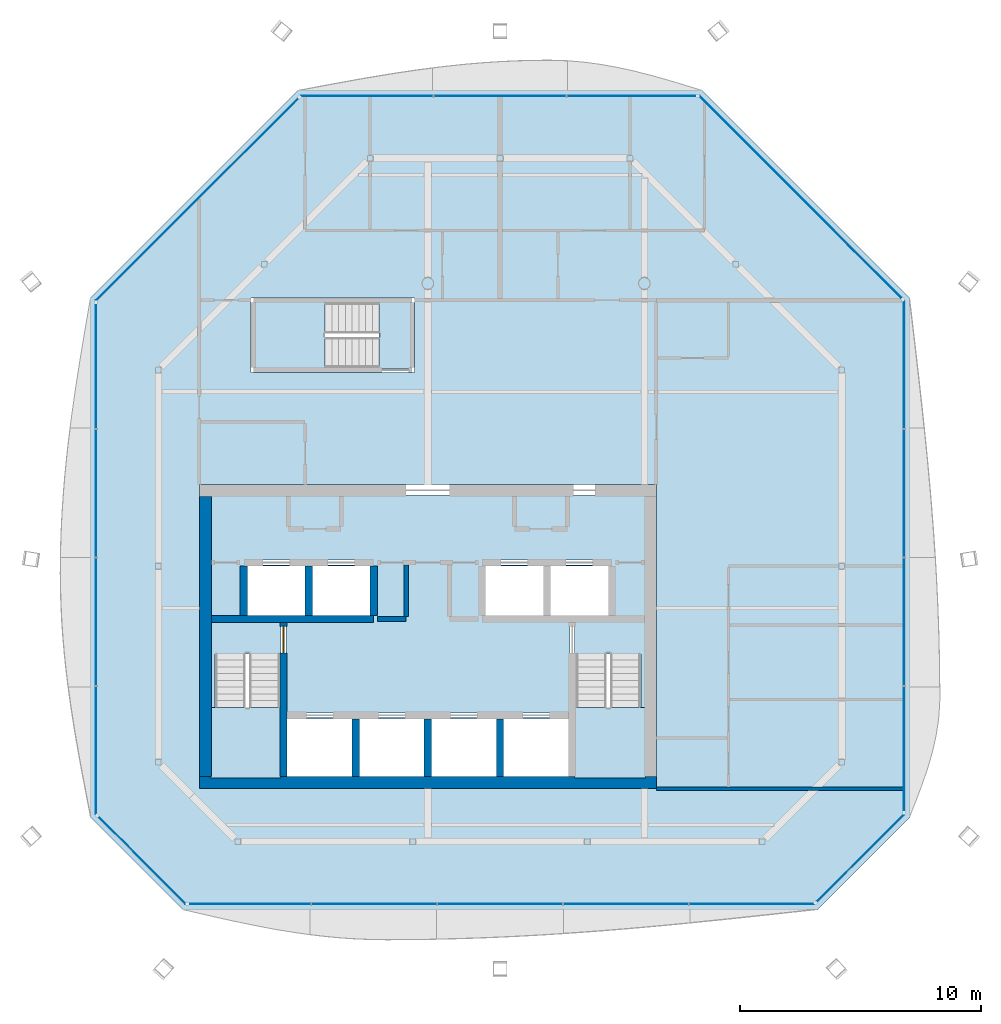
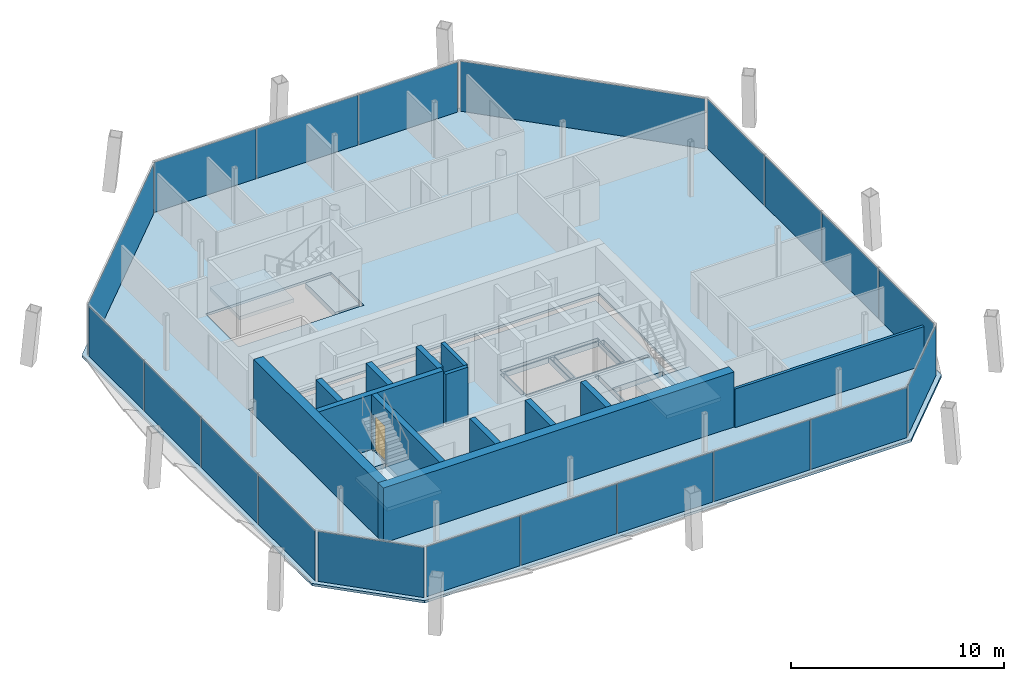
# One storey, part 9 of 16: 20 plates, 13 walls, 6 slabs, 1 door, 1 opening, 11 elements without a shape of their own.
"""IFC4 building model written with IfcOpenShell, lengths in metres."""

from ifc_helpers import new_model, si_unit, direction, frame, frame_2d, origin, origin_2d, place, context, subcontext, project, spatial, polyline, rectangle, outline, extrude, material, layer, layer_set, type_object, element, fill, aggregate, save


model = new_model("IFC4")

# Units and contexts
model_context = context("Model", 3, precision=1e-05, world=origin(), true_north=direction((0.0, 1.0)))
body_context = subcontext(model_context, "Body", "Model", "MODEL_VIEW")
ifc_project = project(units=[si_unit("LENGTHUNIT", "METRE"), si_unit("AREAUNIT", "SQUARE_METRE"), si_unit("VOLUMEUNIT", "CUBIC_METRE"), si_unit("PLANEANGLEUNIT", "RADIAN"), si_unit("MASSUNIT", "GRAM", prefix="KILO")], contexts=[model_context])

# Site, building, storey
site_placement = place(None, origin())
site = spatial("IfcSite", under=ifc_project, at=site_placement, CompositionType="ELEMENT")
building_placement = place(site_placement, origin())
building = spatial("IfcBuilding", under=site, at=building_placement, Name="Tskaro Facet Tower", CompositionType="ELEMENT")
storey_placement = place(building_placement, frame((0.0, 0.0, 265.800048828125)))
storey = spatial("IfcBuildingStorey", under=building, at=storey_placement, Name="L70", CompositionType="ELEMENT", Elevation=265.800048828125)

# Slab
ifc_material_1 = material(Name="Concrete C30/37", Category="concrete")
ifc_layer_1 = layer(ifc_material_1, 0.139892578125, Name="Concrete C30/37")
ifc_layer_set_1 = layer_set([ifc_layer_1], Name="Concrete C30/37")
slab_type_1 = type_object("IfcSlabType", Name="Composite deck floor slab", PredefinedType="FLOOR", material=ifc_layer_set_1)
slab_1_placement = place(storey_placement, frame((0.0, 0.0, -0.14013671875)))
element("IfcSlab", 1, at=slab_1_placement, inside=storey, type_object=slab_type_1, Name="Floor slab FS3 L70", PredefinedType="FLOOR", context=body_context, shape_type="SweptSolid", body=[
    extrude(outline(polyline([(-10.174072265625, -17.04296875), (16.174072265625, -17.04296875), (20.04296875, -13.174072265625), (20.04296875, 8.39111328125), (11.39111328125, 17.04296875), (-5.39111328125, 17.04296875), (-14.04296875, 8.39111328125), (-14.04296875, -13.174072265625), (-10.174072265625, -17.04296875)]), holes=[polyline([(-9.5, -12.0), (9.5, -12.0), (9.5, 0.64990234375), (-9.5, 0.64990234375), (-9.5, -12.0)]), polyline([(-7.35009765625, 5.300048828125), (-0.550048828125, 5.300048828125), (-0.550048828125, 8.39990234375), (-7.35009765625, 8.39990234375), (-7.35009765625, 5.300048828125)])]), origin(), (0.0, 0.0, 1.0), 0.14013671875),
])

# Curtain wall, plates
ifc_material_2 = material(Name="Bronze anodised aluminium 6063-T6", Category="aluminium")
curtain_wall_type = type_object("IfcCurtainWallType", Name="Bronze residence curtain wall (FW3)", PredefinedType="NOTDEFINED", material=ifc_material_2)
curtain_wall_1_placement = place(storey_placement, origin())
curtain_wall_1 = element("IfcCurtainWall", 2, at=curtain_wall_1_placement, inside=storey, type_object=curtain_wall_type, Name="FW3 south facet L70", PredefinedType="NOTDEFINED")
ifc_material_3 = material(Name="Bronze low-iron glass", Category="glass")
ifc_layer_2 = layer(ifc_material_3, 0.028076171875, Name="Bronze low-iron glass")
ifc_layer_set_2 = layer_set([ifc_layer_2], Name="Bronze low-iron glass")
plate_type = type_object("IfcPlateType", Name="FW3 bronze-tinted unit glazing 28", PredefinedType="CURTAIN_PANEL", material=ifc_layer_set_2)
plate_1_placement = place(storey_placement, frame((-7.3984375, -16.79296875, 0.0), z_axis=(0.0, 0.0, 1.0), x_axis=(1.0, 0.0, 0.0)))
plate_1 = element("IfcPlate", 3, at=plate_1_placement, type_object=plate_type, Name="FW3 south glazing 1.1", PredefinedType="CURTAIN_PANEL", context=body_context, shape_type="SweptSolid", body=[
    extrude(rectangle(XDim=5.06298828125, YDim=0.028076171875, at=origin_2d()), origin(), (0.0, 0.0, 1.0), 2.860107421875),
])
plate_2_placement = place(storey_placement, frame((-2.22802734375, -16.79296875, 0.0), z_axis=(0.0, 0.0, 1.0), x_axis=(1.0, 0.0, 0.0)))
plate_2 = element("IfcPlate", 4, at=plate_2_placement, type_object=plate_type, Name="FW3 south glazing 2.1", PredefinedType="CURTAIN_PANEL", context=body_context, shape_type="SweptSolid", body=[
    extrude(rectangle(XDim=5.177978515625, YDim=0.028076171875, at=origin_2d()), origin(), (0.0, 0.0, 1.0), 2.860107421875),
])
plate_3_placement = place(storey_placement, frame((3.0, -16.79296875, 0.0), z_axis=(0.0, 0.0, 1.0), x_axis=(1.0, 0.0, 0.0)))
plate_3 = element("IfcPlate", 5, at=plate_3_placement, type_object=plate_type, Name="FW3 south glazing 3.1", PredefinedType="CURTAIN_PANEL", context=body_context, shape_type="SweptSolid", body=[
    extrude(rectangle(XDim=5.177978515625, YDim=0.028076171875, at=origin_2d()), origin(), (0.0, 0.0, 1.0), 2.860107421875),
])
plate_4_placement = place(storey_placement, frame((8.22802734375, -16.79296875, 0.0), z_axis=(0.0, 0.0, 1.0), x_axis=(1.0, 0.0, 0.0)))
plate_4 = element("IfcPlate", 6, at=plate_4_placement, type_object=plate_type, Name="FW3 south glazing 4.1", PredefinedType="CURTAIN_PANEL", context=body_context, shape_type="SweptSolid", body=[
    extrude(rectangle(XDim=5.177978515625, YDim=0.028076171875, at=origin_2d()), origin(), (0.0, 0.0, 1.0), 2.860107421875),
])
plate_5_placement = place(storey_placement, frame((13.468505859375, -16.79296875, 0.0), z_axis=(0.0, 0.0, 1.0), x_axis=(1.0, 0.0, 0.0)))
plate_5 = element("IfcPlate", 7, at=plate_5_placement, type_object=plate_type, Name="FW3 south glazing 5.1", PredefinedType="CURTAIN_PANEL", context=body_context, shape_type="SweptSolid", body=[
    extrude(rectangle(XDim=5.202880859375, YDim=0.028076171875, at=origin_2d()), origin(), (0.0, 0.0, 1.0), 2.860107421875),
])
aggregate(curtain_wall_1, [plate_1, plate_2, plate_3, plate_4, plate_5])

# Curtain wall, plate
curtain_wall_2_placement = place(storey_placement, origin())
curtain_wall_2 = element("IfcCurtainWall", 8, at=curtain_wall_2_placement, inside=storey, type_object=curtain_wall_type, Name="FW3 south-east facet L70", PredefinedType="NOTDEFINED")
plate_6_placement = place(storey_placement, frame((17.98095703125, -14.882080078125, 0.0), z_axis=(0.0, 0.0, 1.0), x_axis=(0.707106781187, 0.707106781187, 0.0)))
plate_6 = element("IfcPlate", 9, at=plate_6_placement, type_object=plate_type, Name="FW3 south-east glazing 1.1", PredefinedType="CURTAIN_PANEL", context=body_context, shape_type="SweptSolid", body=[
    extrude(rectangle(XDim=5.125, YDim=0.028076171875, at=origin_2d()), origin(), (0.0, 0.0, 1.0), 2.860107421875),
])
aggregate(curtain_wall_2, [plate_6])

# Curtain wall, plates
curtain_wall_3_placement = place(storey_placement, origin())
curtain_wall_3 = element("IfcCurtainWall", 10, at=curtain_wall_3_placement, inside=storey, type_object=curtain_wall_type, Name="FW3 east facet L70", PredefinedType="NOTDEFINED")
plate_7_placement = place(storey_placement, frame((19.79296875, -10.3427734375, 0.0), z_axis=(0.0, 0.0, 1.0), x_axis=(0.0, 1.0, 0.0)))
plate_7 = element("IfcPlate", 11, at=plate_7_placement, type_object=plate_type, Name="FW3 east glazing 1.1", PredefinedType="CURTAIN_PANEL", context=body_context, shape_type="SweptSolid", body=[
    extrude(rectangle(XDim=5.17431640625, YDim=0.028076171875, at=origin_2d()), origin(), (0.0, 0.0, 1.0), 2.860107421875),
])
plate_8_placement = place(storey_placement, frame((19.79296875, -5.06103515625, 0.0), z_axis=(0.0, 0.0, 1.0), x_axis=(0.0, 1.0, 0.0)))
plate_8 = element("IfcPlate", 12, at=plate_8_placement, type_object=plate_type, Name="FW3 east glazing 2.1", PredefinedType="CURTAIN_PANEL", context=body_context, shape_type="SweptSolid", body=[
    extrude(rectangle(XDim=5.289306640625, YDim=0.028076171875, at=origin_2d()), origin(), (0.0, 0.0, 1.0), 2.860107421875),
])
plate_9_placement = place(storey_placement, frame((19.79296875, 0.278076171875, 0.0), z_axis=(0.0, 0.0, 1.0), x_axis=(0.0, 1.0, 0.0)))
plate_9 = element("IfcPlate", 13, at=plate_9_placement, type_object=plate_type, Name="FW3 east glazing 3.1", PredefinedType="CURTAIN_PANEL", context=body_context, shape_type="SweptSolid", body=[
    extrude(rectangle(XDim=5.289306640625, YDim=0.028076171875, at=origin_2d()), origin(), (0.0, 0.0, 1.0), 2.860107421875),
])
plate_10_placement = place(storey_placement, frame((19.79296875, 5.6298828125, 0.0), z_axis=(0.0, 0.0, 1.0), x_axis=(0.0, 1.0, 0.0)))
plate_10 = element("IfcPlate", 14, at=plate_10_placement, type_object=plate_type, Name="FW3 east glazing 4.1", PredefinedType="CURTAIN_PANEL", context=body_context, shape_type="SweptSolid", body=[
    extrude(rectangle(XDim=5.314208984375, YDim=0.028076171875, at=origin_2d()), origin(), (0.0, 0.0, 1.0), 2.860107421875),
])
aggregate(curtain_wall_3, [plate_7, plate_8, plate_9, plate_10])

# Curtain wall, plate
curtain_wall_4_placement = place(storey_placement, origin())
curtain_wall_4 = element("IfcCurtainWall", 15, at=curtain_wall_4_placement, inside=storey, type_object=curtain_wall_type, Name="FW3 north-east facet L70", PredefinedType="NOTDEFINED")
plate_11_placement = place(storey_placement, frame((15.490478515625, 12.589599609375, 0.0), z_axis=(0.0, 0.0, 1.0), x_axis=(-0.707106781187, 0.707106781187, 0.0)))
plate_11 = element("IfcPlate", 16, at=plate_11_placement, type_object=plate_type, Name="FW3 north-east glazing 1.1", PredefinedType="CURTAIN_PANEL", context=body_context, shape_type="SweptSolid", body=[
    extrude(rectangle(XDim=11.889404296875, YDim=0.028076171875, at=origin_2d()), origin(), (0.0, 0.0, 1.0), 2.860107421875),
])
aggregate(curtain_wall_4, [plate_11])

# Curtain wall, plates
curtain_wall_5_placement = place(storey_placement, origin())
curtain_wall_5 = element("IfcCurtainWall", 17, at=curtain_wall_5_placement, inside=storey, type_object=curtain_wall_type, Name="FW3 north facet L70", PredefinedType="NOTDEFINED")
plate_12_placement = place(storey_placement, frame((8.46728515625, 16.79296875, 0.0), z_axis=(0.0, 0.0, 1.0), x_axis=(-1.0, 0.0, 0.0)))
plate_12 = element("IfcPlate", 18, at=plate_12_placement, type_object=plate_type, Name="FW3 north glazing 1.1", PredefinedType="CURTAIN_PANEL", context=body_context, shape_type="SweptSolid", body=[
    extrude(rectangle(XDim=5.359619140625, YDim=0.028076171875, at=origin_2d()), origin(), (0.0, 0.0, 1.0), 2.860107421875),
])
plate_13_placement = place(storey_placement, frame((3.0, 16.79296875, 0.0), z_axis=(0.0, 0.0, 1.0), x_axis=(-1.0, 0.0, 0.0)))
plate_13 = element("IfcPlate", 19, at=plate_13_placement, type_object=plate_type, Name="FW3 north glazing 2.1", PredefinedType="CURTAIN_PANEL", context=body_context, shape_type="SweptSolid", body=[
    extrude(rectangle(XDim=5.474609375, YDim=0.028076171875, at=origin_2d()), origin(), (0.0, 0.0, 1.0), 2.860107421875),
])
plate_14_placement = place(storey_placement, frame((-2.537109375, 16.79296875, 0.0), z_axis=(0.0, 0.0, 1.0), x_axis=(-1.0, 0.0, 0.0)))
plate_14 = element("IfcPlate", 20, at=plate_14_placement, type_object=plate_type, Name="FW3 north glazing 3.1", PredefinedType="CURTAIN_PANEL", context=body_context, shape_type="SweptSolid", body=[
    extrude(rectangle(XDim=5.499755859375, YDim=0.028076171875, at=origin_2d()), origin(), (0.0, 0.0, 1.0), 2.860107421875),
])
aggregate(curtain_wall_5, [plate_12, plate_13, plate_14])

# Curtain wall, plate
curtain_wall_6_placement = place(storey_placement, origin())
curtain_wall_6 = element("IfcCurtainWall", 21, at=curtain_wall_6_placement, inside=storey, type_object=curtain_wall_type, Name="FW3 north-west facet L70", PredefinedType="NOTDEFINED")
plate_15_placement = place(storey_placement, frame((-9.589599609375, 12.490478515625, 0.0), z_axis=(0.0, 0.0, 1.0), x_axis=(-0.707106781187, -0.707106781187, 0.0)))
plate_15 = element("IfcPlate", 22, at=plate_15_placement, type_object=plate_type, Name="FW3 north-west glazing 1.1", PredefinedType="CURTAIN_PANEL", context=body_context, shape_type="SweptSolid", body=[
    extrude(rectangle(XDim=11.889404296875, YDim=0.028076171875, at=origin_2d()), origin(), (0.0, 0.0, 1.0), 2.860107421875),
])
aggregate(curtain_wall_6, [plate_15])

# Curtain wall, plates
curtain_wall_7_placement = place(storey_placement, origin())
curtain_wall_7 = element("IfcCurtainWall", 23, at=curtain_wall_7_placement, inside=storey, type_object=curtain_wall_type, Name="FW3 west facet L70", PredefinedType="NOTDEFINED")
plate_16_placement = place(storey_placement, frame((-13.79296875, 5.559814453125, 0.0), z_axis=(0.0, 0.0, 1.0), x_axis=(0.0, -1.0, 0.0)))
plate_16 = element("IfcPlate", 24, at=plate_16_placement, type_object=plate_type, Name="FW3 west glazing 1.1", PredefinedType="CURTAIN_PANEL", context=body_context, shape_type="SweptSolid", body=[
    extrude(rectangle(XDim=5.17431640625, YDim=0.028076171875, at=origin_2d()), origin(), (0.0, 0.0, 1.0), 2.860107421875),
])
plate_17_placement = place(storey_placement, frame((-13.79296875, 0.278076171875, 0.0), z_axis=(0.0, 0.0, 1.0), x_axis=(0.0, -1.0, 0.0)))
plate_17 = element("IfcPlate", 25, at=plate_17_placement, type_object=plate_type, Name="FW3 west glazing 2.1", PredefinedType="CURTAIN_PANEL", context=body_context, shape_type="SweptSolid", body=[
    extrude(rectangle(XDim=5.289306640625, YDim=0.028076171875, at=origin_2d()), origin(), (0.0, 0.0, 1.0), 2.860107421875),
])
plate_18_placement = place(storey_placement, frame((-13.79296875, -5.06103515625, 0.0), z_axis=(0.0, 0.0, 1.0), x_axis=(0.0, -1.0, 0.0)))
plate_18 = element("IfcPlate", 26, at=plate_18_placement, type_object=plate_type, Name="FW3 west glazing 3.1", PredefinedType="CURTAIN_PANEL", context=body_context, shape_type="SweptSolid", body=[
    extrude(rectangle(XDim=5.289306640625, YDim=0.028076171875, at=origin_2d()), origin(), (0.0, 0.0, 1.0), 2.860107421875),
])
plate_19_placement = place(storey_placement, frame((-13.79296875, -10.412841796875, 0.0), z_axis=(0.0, 0.0, 1.0), x_axis=(0.0, -1.0, 0.0)))
plate_19 = element("IfcPlate", 27, at=plate_19_placement, type_object=plate_type, Name="FW3 west glazing 4.1", PredefinedType="CURTAIN_PANEL", context=body_context, shape_type="SweptSolid", body=[
    extrude(rectangle(XDim=5.314208984375, YDim=0.028076171875, at=origin_2d()), origin(), (0.0, 0.0, 1.0), 2.860107421875),
])
aggregate(curtain_wall_7, [plate_16, plate_17, plate_18, plate_19])

# Curtain wall, plate
curtain_wall_8_placement = place(storey_placement, origin())
curtain_wall_8 = element("IfcCurtainWall", 28, at=curtain_wall_8_placement, inside=storey, type_object=curtain_wall_type, Name="FW3 south-west facet L70", PredefinedType="NOTDEFINED")
plate_20_placement = place(storey_placement, frame((-11.882080078125, -14.98095703125, 0.0), z_axis=(0.0, 0.0, 1.0), x_axis=(0.707106781187, -0.707106781187, 0.0)))
plate_20 = element("IfcPlate", 29, at=plate_20_placement, type_object=plate_type, Name="FW3 south-west glazing 1.1", PredefinedType="CURTAIN_PANEL", context=body_context, shape_type="SweptSolid", body=[
    extrude(rectangle(XDim=5.125, YDim=0.028076171875, at=origin_2d()), origin(), (0.0, 0.0, 1.0), 2.860107421875),
])
aggregate(curtain_wall_8, [plate_20])

# Stair, slab
ifc_material_4 = material(Name="Concrete C40/50", Category="concrete")
stair_type = type_object("IfcStairType", Name="ST-TWR", PredefinedType="HALF_TURN_STAIR", material=ifc_material_4)
stair_1_placement = place(storey_placement, origin())
stair_1 = element("IfcStair", 30, at=stair_1_placement, inside=storey, type_object=stair_type, Name="L70 Exit stair 1", PredefinedType="HALF_TURN_STAIR")
ifc_layer_3 = layer(ifc_material_4, 0.199951171875, Name="Concrete C40/50")
ifc_layer_set_3 = layer_set([ifc_layer_3], Name="Concrete C40/50")
slab_type_2 = type_object("IfcSlabType", Name="SL-LANDING", PredefinedType="LANDING", material=ifc_layer_set_3)
slab_2_placement = place(storey_placement, frame((0.0, 0.0, 1.375)))
slab_2 = element("IfcSlab", 31, at=slab_2_placement, type_object=slab_type_2, Name="ST-1 landing 1", PredefinedType="LANDING", context=body_context, shape_type="SweptSolid", body=[
    extrude(outline(polyline([(-9.050048828125, -11.550048828125), (-6.10009765625, -11.550048828125), (-6.10009765625, -8.614990234375), (-9.050048828125, -8.614990234375), (-9.050048828125, -11.550048828125)])), origin(), (0.0, 0.0, 1.0), 0.199951171875),
])
aggregate(stair_1, [slab_2])

stair_2_placement = place(storey_placement, origin())
stair_2 = element("IfcStair", 32, at=stair_2_placement, inside=storey, type_object=stair_type, Name="L70 Exit stair 2", PredefinedType="HALF_TURN_STAIR")
slab_3_placement = place(storey_placement, frame((0.0, 0.0, 1.375)))
slab_3 = element("IfcSlab", 33, at=slab_3_placement, type_object=slab_type_2, Name="ST-2 landing 1", PredefinedType="LANDING", context=body_context, shape_type="SweptSolid", body=[
    extrude(outline(polyline([(6.10009765625, -11.550048828125), (9.050048828125, -11.550048828125), (9.050048828125, -8.614990234375), (6.10009765625, -8.614990234375), (6.10009765625, -11.550048828125)])), origin(), (0.0, 0.0, 1.0), 0.199951171875),
])
aggregate(stair_2, [slab_3])

stair_3_placement = place(storey_placement, origin())
stair_3 = element("IfcStair", 34, at=stair_3_placement, inside=storey, type_object=stair_type, Name="L70 Exit stair 3", PredefinedType="HALF_TURN_STAIR")
slab_4_placement = place(storey_placement, frame((0.0, 0.0, 1.375)))
slab_4 = element("IfcSlab", 35, at=slab_4_placement, type_object=slab_type_2, Name="ST-3 landing 1", PredefinedType="LANDING", context=body_context, shape_type="SweptSolid", body=[
    extrude(outline(polyline([(-7.199951171875, 5.449951171875), (-4.264892578125, 5.449951171875), (-4.264892578125, 8.25), (-7.199951171875, 8.25), (-7.199951171875, 5.449951171875)])), origin(), (0.0, 0.0, 1.0), 0.199951171875),
])
aggregate(stair_3, [slab_4])

# Slabs
ifc_material_5 = material(Name="Concrete C60/75", Category="concrete")
ifc_layer_4 = layer(ifc_material_5, 0.300048828125, Name="Concrete C60/75")
ifc_layer_set_4 = layer_set([ifc_layer_4], Name="Concrete C60/75")
slab_type_3 = type_object("IfcSlabType", Name="SLAB-CORE", PredefinedType="FLOOR", material=ifc_layer_set_4)
slab_5_placement = place(storey_placement, frame((0.0, 0.0, -0.300048828125)))
element("IfcSlab", 36, at=slab_5_placement, inside=storey, type_object=slab_type_3, Name="Core floor slab 1", PredefinedType="FLOOR", context=body_context, shape_type="SweptSolid", body=[
    extrude(outline(polyline([(-9.050048828125, 0.199951171875), (9.050048828125, 0.199951171875), (9.050048828125, 0.10009765625), (9.050048828125, -11.449951171875), (9.050048828125, -11.550048828125), (-9.050048828125, -11.550048828125), (-9.050048828125, -11.449951171875), (-9.050048828125, 0.10009765625), (-9.050048828125, 0.199951171875)]), holes=[polyline([(-5.85009765625, -9.10009765625), (-5.85009765625, -11.5), (-3.14990234375, -11.5), (-3.14990234375, -9.10009765625), (-5.85009765625, -9.10009765625)]), polyline([(-3.10009765625, -11.449951171875), (-2.89990234375, -11.449951171875), (-2.89990234375, -9.14990234375), (-3.10009765625, -9.14990234375), (-3.10009765625, -11.449951171875)]), polyline([(-2.85009765625, -9.10009765625), (-2.85009765625, -11.5), (-0.14990234375, -11.5), (-0.14990234375, -9.10009765625), (-2.85009765625, -9.10009765625)]), polyline([(-6.10009765625, -11.449951171875), (-5.89990234375, -11.449951171875), (-5.89990234375, -5.14990234375), (-6.10009765625, -5.14990234375), (-6.10009765625, -11.449951171875)]), polyline([(-8.949951171875, -5.050048828125), (-2.300048828125, -5.050048828125), (-2.300048828125, -4.85009765625), (-8.949951171875, -4.85009765625), (-8.949951171875, -5.050048828125)]), polyline([(-7.75, -4.75), (-7.550048828125, -4.75), (-7.550048828125, -2.800048828125), (-7.75, -2.800048828125), (-7.75, -4.75)]), polyline([(-5.10009765625, -2.75), (-7.5, -2.75), (-7.5, -4.800048828125), (-5.10009765625, -4.800048828125), (-5.10009765625, -2.75)]), polyline([(-5.050048828125, -4.75), (-4.85009765625, -4.75), (-4.85009765625, -2.800048828125), (-5.050048828125, -2.800048828125), (-5.050048828125, -4.75)]), polyline([(-2.39990234375, -2.75), (-4.800048828125, -2.75), (-4.800048828125, -4.800048828125), (-2.39990234375, -4.800048828125), (-2.39990234375, -2.75)]), polyline([(-2.35009765625, -4.75), (-2.14990234375, -4.75), (-2.14990234375, -2.800048828125), (-2.35009765625, -2.800048828125), (-2.35009765625, -4.75)]), polyline([(-7.60009765625, -2.699951171875), (-2.300048828125, -2.699951171875), (-2.300048828125, -2.5), (-7.60009765625, -2.5), (-7.60009765625, -2.699951171875)]), polyline([(-0.10009765625, -11.449951171875), (0.10009765625, -11.449951171875), (0.10009765625, -9.14990234375), (-0.10009765625, -9.14990234375), (-0.10009765625, -11.449951171875)]), polyline([(0.14990234375, -9.10009765625), (0.14990234375, -11.5), (2.85009765625, -11.5), (2.85009765625, -9.10009765625), (0.14990234375, -9.10009765625)]), polyline([(2.89990234375, -11.449951171875), (3.10009765625, -11.449951171875), (3.10009765625, -9.14990234375), (2.89990234375, -9.14990234375), (2.89990234375, -11.449951171875)]), polyline([(3.14990234375, -9.10009765625), (3.14990234375, -11.5), (5.85009765625, -11.5), (5.85009765625, -9.10009765625), (3.14990234375, -9.10009765625)]), polyline([(-5.800048828125, -9.050048828125), (5.800048828125, -9.050048828125), (5.800048828125, -8.85009765625), (-5.800048828125, -8.85009765625), (-5.800048828125, -9.050048828125)]), polyline([(5.89990234375, -11.449951171875), (6.10009765625, -11.449951171875), (6.10009765625, -5.14990234375), (5.89990234375, -5.14990234375), (5.89990234375, -11.449951171875)]), polyline([(2.300048828125, -5.050048828125), (8.949951171875, -5.050048828125), (8.949951171875, -4.85009765625), (2.300048828125, -4.85009765625), (2.300048828125, -5.050048828125)]), polyline([(2.14990234375, -4.75), (2.35009765625, -4.75), (2.35009765625, -2.800048828125), (2.14990234375, -2.800048828125), (2.14990234375, -4.75)]), polyline([(4.800048828125, -2.75), (2.39990234375, -2.75), (2.39990234375, -4.800048828125), (4.800048828125, -4.800048828125), (4.800048828125, -2.75)]), polyline([(4.85009765625, -4.75), (5.050048828125, -4.75), (5.050048828125, -2.800048828125), (4.85009765625, -2.800048828125), (4.85009765625, -4.75)]), polyline([(7.5, -2.75), (5.10009765625, -2.75), (5.10009765625, -4.800048828125), (7.5, -4.800048828125), (7.5, -2.75)]), polyline([(7.550048828125, -4.75), (7.75, -4.75), (7.75, -2.800048828125), (7.550048828125, -2.800048828125), (7.550048828125, -4.75)]), polyline([(2.300048828125, -2.699951171875), (7.60009765625, -2.699951171875), (7.60009765625, -2.5), (2.300048828125, -2.5), (2.300048828125, -2.699951171875)]), polyline([(-8.85009765625, -11.5), (-6.14990234375, -11.5), (-6.14990234375, -6.39501953125), (-8.85009765625, -6.39501953125), (-8.85009765625, -11.5)]), polyline([(6.14990234375, -6.39501953125), (6.14990234375, -11.5), (8.85009765625, -11.5), (8.85009765625, -6.39501953125), (6.14990234375, -6.39501953125)])]), origin(), (0.0, 0.0, 1.0), 0.300048828125),
])
slab_6_placement = place(storey_placement, frame((0.0, 0.0, -0.300048828125)))
element("IfcSlab", 37, at=slab_6_placement, inside=storey, type_object=slab_type_3, Name="Stair 3 floor landing 1", PredefinedType="FLOOR", context=body_context, shape_type="SweptSolid", body=[
    extrude(outline(polyline([(-2.02490234375, 5.449951171875), (-0.699951171875, 5.449951171875), (-0.699951171875, 8.25), (-2.02490234375, 8.25), (-2.02490234375, 5.449951171875)])), origin(), (0.0, 0.0, 1.0), 0.300048828125),
])

# Walls
ifc_layer_5 = layer(ifc_material_5, 0.300048828125, Name="Concrete C60/75")
ifc_layer_set_5 = layer_set([ifc_layer_5], Name="Concrete C60/75")
wall_type_1 = type_object("IfcWallType", Name="CORE-SHAFT", PredefinedType="SHEAR", material=ifc_layer_set_5)
wall_1_placement = place(storey_placement, frame((-9.0, -4.949951171875, 0.0), z_axis=(0.0, 0.0, 1.0), x_axis=(1.0, 0.0, 0.0)))
element("IfcWall", 38, at=wall_1_placement, inside=storey, type_object=wall_type_1, Name="Shaft wall W006", PredefinedType="SHEAR", context=body_context, shape_type="SweptSolid", body=[
    extrude(rectangle(XDim=6.75, YDim=0.300048828125, at=frame_2d((3.375, 0.0))), origin(), (0.0, 0.0, 1.0), 3.14990234375),
])
wall_2_placement = place(storey_placement, frame((-7.64990234375, -4.800048828125, 0.0), z_axis=(0.0, 0.0, 1.0), x_axis=(0.0, 1.0, 0.0)))
element("IfcWall", 39, at=wall_2_placement, inside=storey, type_object=wall_type_1, Name="Shaft wall W028", PredefinedType="SHEAR", context=body_context, shape_type="SweptSolid", body=[
    extrude(rectangle(XDim=2.050048828125, YDim=0.300048828125, at=frame_2d((1.02490234375, 0.0))), origin(), (0.0, 0.0, 1.0), 3.14990234375),
])

# Wall, opening, door
wall_3_placement = place(storey_placement, frame((-6.0, -11.5, 0.0), z_axis=(0.0, 0.0, 1.0), x_axis=(0.0, 1.0, 0.0)))
wall_3 = element("IfcWall", 40, at=wall_3_placement, inside=storey, type_object=wall_type_1, Name="Shaft wall W030", PredefinedType="SHEAR", context=body_context, shape_type="SweptSolid", body=[
    extrude(rectangle(XDim=6.39990234375, YDim=0.300048828125, at=frame_2d((3.199951171875, 0.0))), origin(), (0.0, 0.0, 1.0), 3.14990234375),
])
opening_placement = place(wall_3_placement, frame((5.14990234375, 0.0, 0.0)))
opening = element("IfcOpeningElement", 41, at=opening_placement, cuts=wall_3, Name="Opening ST-1-D1", PredefinedType="OPENING", context=body_context, shape_type="SweptSolid", body=[
    extrude(rectangle(XDim=1.10009765625, YDim=2.10009765625, at=frame_2d((0.550048828125, 1.050048828125))), frame((0.0, 0.159912109375, 0.0), z_axis=(0.0, -1.0, 0.0), x_axis=(1.0, 0.0, 0.0)), (0.0, 0.0, 1.0), 0.320068359375),
])
ifc_material_6 = material(Name="Steel", Category="steel")
door_type = type_object("IfcDoorType", Name="D-STAIR", OperationType="NOTDEFINED", PredefinedType="DOOR", material=ifc_material_6)
door_placement = place(opening_placement, origin())
door = element("IfcDoor", 42, at=door_placement, inside=storey, type_object=door_type, Name="Stair door 1", OperationType="SINGLE_SWING_LEFT", OverallHeight=2.10009765625, OverallWidth=1.10009765625, PredefinedType="DOOR", context=body_context, shape_type="SweptSolid", body=[
    extrude(rectangle(XDim=1.10009765625, YDim=2.10009765625, at=frame_2d((0.550048828125, 1.050048828125))), frame((0.0, 0.02490234375, 0.0), z_axis=(0.0, -1.0, 0.0), x_axis=(1.0, 0.0, 0.0)), (0.0, 0.0, 1.0), 0.050048828125),
])
fill(opening, door)

# Walls
wall_4_placement = place(storey_placement, frame((-4.949951171875, -4.800048828125, 0.0), z_axis=(0.0, 0.0, 1.0), x_axis=(0.0, 1.0, 0.0)))
element("IfcWall", 43, at=wall_4_placement, inside=storey, type_object=wall_type_1, Name="Shaft wall W034", PredefinedType="SHEAR", context=body_context, shape_type="SweptSolid", body=[
    extrude(rectangle(XDim=2.050048828125, YDim=0.300048828125, at=frame_2d((1.02490234375, 0.0))), origin(), (0.0, 0.0, 1.0), 3.14990234375),
])
wall_5_placement = place(storey_placement, frame((-3.0, -11.5, 0.0), z_axis=(0.0, 0.0, 1.0), x_axis=(0.0, 1.0, 0.0)))
element("IfcWall", 44, at=wall_5_placement, inside=storey, type_object=wall_type_1, Name="Shaft wall W036", PredefinedType="SHEAR", context=body_context, shape_type="SweptSolid", body=[
    extrude(rectangle(XDim=2.39990234375, YDim=0.300048828125, at=frame_2d((1.199951171875, 0.0))), origin(), (0.0, 0.0, 1.0), 3.14990234375),
])
wall_6_placement = place(storey_placement, frame((-2.25, -4.800048828125, 0.0), z_axis=(0.0, 0.0, 1.0), x_axis=(0.0, 1.0, 0.0)))
element("IfcWall", 45, at=wall_6_placement, inside=storey, type_object=wall_type_1, Name="Shaft wall W039", PredefinedType="SHEAR", context=body_context, shape_type="SweptSolid", body=[
    extrude(rectangle(XDim=2.050048828125, YDim=0.300048828125, at=frame_2d((1.02490234375, 0.0))), origin(), (0.0, 0.0, 1.0), 3.14990234375),
])
for number, where, z_axis, x_axis, name in (
    (46, (0.0, -11.5, 0.0), (0.0, 0.0, 1.0), (0.0, 1.0, 0.0), "Shaft wall W042"),
    (47, (3.0, -11.5, 0.0), (0.0, 0.0, 1.0), (0.0, 1.0, 0.0), "Shaft wall W046"),
):
    element("IfcWall", number, at=place(storey_placement, frame(where, z_axis=z_axis, x_axis=x_axis)), inside=storey, type_object=wall_type_1, Name=name, PredefinedType="SHEAR", context=body_context, shape_type="SweptSolid", body=[
        extrude(rectangle(XDim=2.39990234375, YDim=0.300048828125, at=frame_2d((1.199951171875, 0.0))), origin(), (0.0, 0.0, 1.0), 3.14990234375),
    ])
ifc_material_7 = material(Name="Concrete C20/25", Category="concrete")
ifc_layer_6 = layer(ifc_material_7, 0.199951171875, Name="Concrete C20/25")
ifc_layer_set_6 = layer_set([ifc_layer_6], Name="Concrete C20/25")
wall_type_2 = type_object("IfcWallType", Name="CORE-WALL", PredefinedType="SOLIDWALL", material=ifc_layer_set_6)
wall_7_placement = place(storey_placement, frame((-2.10009765625, -4.949951171875, 0.0), z_axis=(0.0, 0.0, 1.0), x_axis=(1.0, 0.0, 0.0)))
element("IfcWall", 48, at=wall_7_placement, inside=storey, type_object=wall_type_2, Name="Core room wall W007", PredefinedType="SOLIDWALL", context=body_context, shape_type="SweptSolid", body=[
    extrude(rectangle(XDim=1.2001953125, YDim=0.199951171875, at=frame_2d((0.60009765625, 0.0))), origin(), (0.0, 0.0, 1.0), 2.849853515625),
])
wall_8_placement = place(storey_placement, frame((-0.89990234375, -4.85009765625, 0.0), z_axis=(0.0, 0.0, 1.0), x_axis=(0.0, 1.0, 0.0)))
element("IfcWall", 49, at=wall_8_placement, inside=storey, type_object=wall_type_2, Name="Core room wall W040", PredefinedType="SOLIDWALL", context=body_context, shape_type="SweptSolid", body=[
    extrude(rectangle(XDim=2.150146484375, YDim=0.199951171875, at=frame_2d((1.0751953125, 0.0))), origin(), (0.0, 0.0, 1.0), 2.849853515625),
])
ifc_layer_7 = layer(ifc_material_4, 0.5, Name="Concrete C40/50")
ifc_layer_set_7 = layer_set([ifc_layer_7], Name="Concrete C40/50")
wall_type_3 = type_object("IfcWallType", Name="Core wall 500", PredefinedType="SHEAR", material=ifc_layer_set_7)
wall_9_placement = place(storey_placement, frame((-9.5, -11.75, 0.0), z_axis=(0.0, 0.0, 1.0), x_axis=(1.0, 0.0, 0.0)))
element("IfcWall", 50, at=wall_9_placement, inside=storey, type_object=wall_type_3, Name="Core wall CW-Z3S", PredefinedType="SHEAR", context=body_context, shape_type="SweptSolid", body=[
    extrude(rectangle(XDim=19.0, YDim=0.5, at=frame_2d((9.5, 0.0))), origin(), (0.0, 0.0, 1.0), 3.14990234375),
])
wall_10_placement = place(storey_placement, frame((-9.25, -11.5, 0.0), z_axis=(0.0, 0.0, 1.0), x_axis=(0.0, 1.0, 0.0)))
element("IfcWall", 51, at=wall_10_placement, inside=storey, type_object=wall_type_3, Name="Core wall CW-Z3W", PredefinedType="SHEAR", context=body_context, shape_type="SweptSolid", body=[
    extrude(rectangle(XDim=11.64990234375, YDim=0.5, at=frame_2d((5.824951171875, 0.0))), origin(), (0.0, 0.0, 1.0), 3.14990234375),
])
ifc_material_8 = material(Name="Gypsum board on steel studs", Category="steel")
ifc_layer_8 = layer(ifc_material_8, 0.14990234375, Name="Gypsum board on steel studs")
ifc_layer_set_8 = layer_set([ifc_layer_8], Name="Gypsum board on steel studs")
wall_type_4 = type_object("IfcWallType", Name="PART-CORR", PredefinedType="PARTITIONING", material=ifc_layer_set_8)
wall_11_placement = place(storey_placement, frame((9.5, -12.0, 0.0), z_axis=(0.0, 0.0, 1.0), x_axis=(1.0, 0.0, 0.0)))
element("IfcWall", 52, at=wall_11_placement, inside=storey, type_object=wall_type_4, Name="Corridor wall W001", PredefinedType="PARTITIONING", context=body_context, shape_type="SweptSolid", body=[
    extrude(rectangle(XDim=10.242919921875, YDim=0.14990234375, at=frame_2d((5.12158203125, 0.0))), origin(), (0.0, 0.0, 1.0), 2.2099609375),
])

save(model, "model.ifc")
